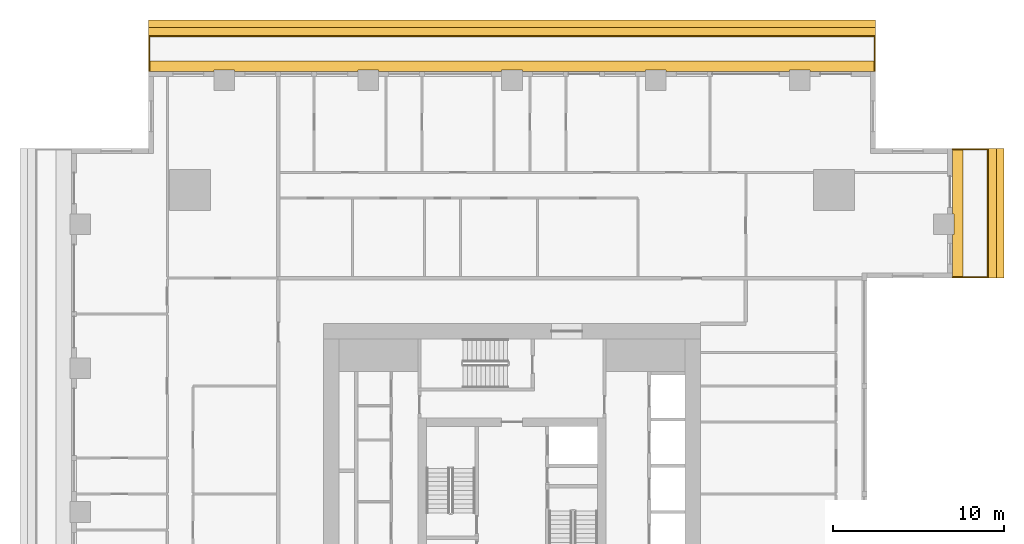
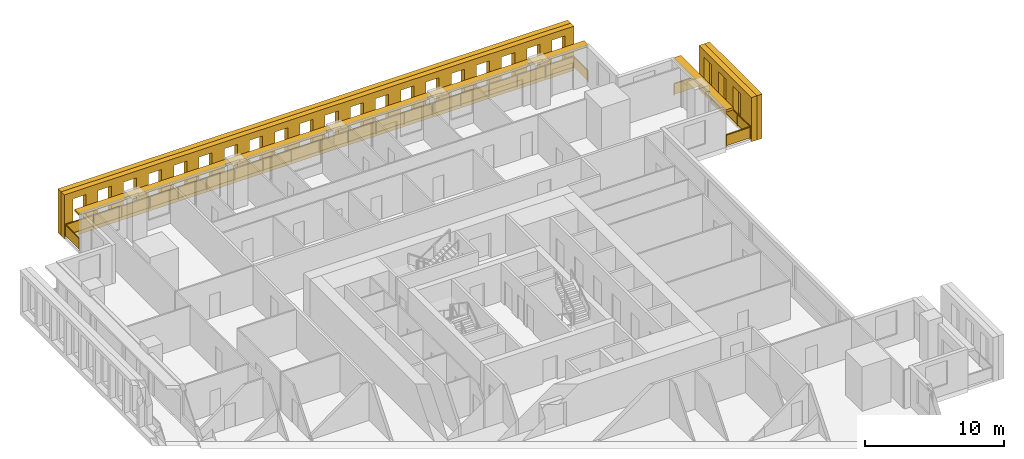
# One storey, part 15 of 15: 6 shading devices, 2 railings.
"""IFC4 building model written with IfcOpenShell, lengths in metres."""

from ifc_helpers import new_model, si_unit, direction, frame, origin, origin_2d, place, context, subcontext, project, spatial, polyline, rectangle, outline, extrude, material, layer, layer_set, type_object, element, save


model = new_model("IFC4")

# Units and contexts
model_context = context("Model", 3, precision=1e-05, world=origin(), true_north=direction((0.0, 1.0)))
body_context = subcontext(model_context, "Body", "Model", "MODEL_VIEW")
ifc_project = project(units=[si_unit("LENGTHUNIT", "METRE"), si_unit("AREAUNIT", "SQUARE_METRE"), si_unit("VOLUMEUNIT", "CUBIC_METRE"), si_unit("PLANEANGLEUNIT", "RADIAN"), si_unit("MASSUNIT", "GRAM", prefix="KILO")], contexts=[model_context])

# Site, building, storey
site_placement = place(None, origin())
site = spatial("IfcSite", under=ifc_project, at=site_placement, CompositionType="ELEMENT")
building_placement = place(site_placement, origin())
building = spatial("IfcBuilding", under=site, at=building_placement, Name="Khepri Terraces", CompositionType="ELEMENT")
storey_placement = place(building_placement, frame((0.0, 0.0, 231.300048828125)))
storey = spatial("IfcBuildingStorey", under=building, at=storey_placement, Name="L55", CompositionType="ELEMENT", Elevation=231.300048828125)

# Railings
ifc_material_1 = material(Name="Stainless steel grade 316", Category="steel")
railing_type = type_object("IfcRailingType", Name="GRD-BAL-1100", PredefinedType="GUARDRAIL", material=ifc_material_1)
railing_1_placement = place(storey_placement, frame((25.719970703125, 13.699951171875, 0.0)))
element("IfcRailing", 1, at=railing_1_placement, inside=storey, type_object=railing_type, Name="Balcony guard L55 E", PredefinedType="GUARDRAIL", context=body_context, shape_type="SweptSolid", body=[
    extrude(rectangle(XDim=0.050048828125, YDim=0.06005859375, at=origin_2d()), frame((0.0, 0.0, 1.070068359375), z_axis=(1.0, 0.0, 0.0), x_axis=(0.0, 1.0, 0.0)), (0.0, 0.0, 1.0), 2.050048828125),
    extrude(rectangle(XDim=2.0, YDim=0.011962890625, at=origin_2d()), frame((1.02490234375, 0.0, 0.10009765625), z_axis=(0.0, 0.0, 1.0), x_axis=(1.0, 0.0, 0.0)), (0.0, 0.0, 1.0), 0.93994140625),
    extrude(rectangle(XDim=0.050048828125, YDim=0.06005859375, at=origin_2d()), frame((2.050048828125, 0.0, 1.070068359375), z_axis=(0.0, 1.0, 0.0), x_axis=(-1.0, 0.0, 0.0)), (0.0, 0.0, 1.0), 7.469970703125),
    extrude(rectangle(XDim=1.8173828125, YDim=0.011962890625, at=origin_2d()), frame((2.050048828125, 0.933837890625, 0.10009765625), z_axis=(0.0, 0.0, 1.0), x_axis=(0.0, 1.0, 0.0)), (0.0, 0.0, 1.0), 0.93994140625),
    extrude(rectangle(XDim=1.8173828125, YDim=0.011962890625, at=origin_2d()), frame((2.050048828125, 2.80126953125, 0.10009765625), z_axis=(0.0, 0.0, 1.0), x_axis=(0.0, 1.0, 0.0)), (0.0, 0.0, 1.0), 0.93994140625),
    extrude(rectangle(XDim=1.8173828125, YDim=0.011962890625, at=origin_2d()), frame((2.050048828125, 4.668701171875, 0.10009765625), z_axis=(0.0, 0.0, 1.0), x_axis=(0.0, 1.0, 0.0)), (0.0, 0.0, 1.0), 0.93994140625),
    extrude(rectangle(XDim=1.8173828125, YDim=0.011962890625, at=origin_2d()), frame((2.050048828125, 6.5361328125, 0.10009765625), z_axis=(0.0, 0.0, 1.0), x_axis=(0.0, 1.0, 0.0)), (0.0, 0.0, 1.0), 0.93994140625),
    extrude(rectangle(XDim=0.050048828125, YDim=0.06005859375, at=origin_2d()), frame((2.050048828125, 7.469970703125, 1.070068359375), z_axis=(-1.0, 0.0, 0.0), x_axis=(0.0, -1.0, 0.0)), (0.0, 0.0, 1.0), 2.050048828125),
    extrude(rectangle(XDim=2.0, YDim=0.011962890625, at=origin_2d()), frame((1.02490234375, 7.469970703125, 0.10009765625), z_axis=(0.0, 0.0, 1.0), x_axis=(-1.0, 0.0, 0.0)), (0.0, 0.0, 1.0), 0.93994140625),
    extrude(rectangle(XDim=0.050048828125, YDim=0.050048828125, at=origin_2d()), origin(), (0.0, 0.0, 1.0), 1.0400390625),
    extrude(rectangle(XDim=0.050048828125, YDim=0.050048828125, at=origin_2d()), frame((2.050048828125, 0.0, 0.0)), (0.0, 0.0, 1.0), 1.0400390625),
    extrude(rectangle(XDim=0.050048828125, YDim=0.050048828125, at=origin_2d()), frame((2.050048828125, 1.867431640625, 0.0)), (0.0, 0.0, 1.0), 1.0400390625),
    extrude(rectangle(XDim=0.050048828125, YDim=0.050048828125, at=origin_2d()), frame((2.050048828125, 3.73486328125, 0.0)), (0.0, 0.0, 1.0), 1.0400390625),
    extrude(rectangle(XDim=0.050048828125, YDim=0.050048828125, at=origin_2d()), frame((2.050048828125, 5.6025390625, 0.0)), (0.0, 0.0, 1.0), 1.0400390625),
    extrude(rectangle(XDim=0.050048828125, YDim=0.050048828125, at=origin_2d()), frame((2.050048828125, 7.469970703125, 0.0)), (0.0, 0.0, 1.0), 1.0400390625),
    extrude(rectangle(XDim=0.050048828125, YDim=0.050048828125, at=origin_2d()), frame((0.0, 7.469970703125, 0.0)), (0.0, 0.0, 1.0), 1.0400390625),
])
railing_2_placement = place(storey_placement, frame((21.169921875, 25.719970703125, 0.0)))
element("IfcRailing", 2, at=railing_2_placement, inside=storey, type_object=railing_type, Name="Balcony guard L55 N", PredefinedType="GUARDRAIL", context=body_context, shape_type="SweptSolid", body=[
    extrude(rectangle(XDim=0.050048828125, YDim=0.06005859375, at=origin_2d()), frame((0.0, 0.0, 1.070068359375), z_axis=(0.0, 1.0, 0.0), x_axis=(-1.0, 0.0, 0.0)), (0.0, 0.0, 1.0), 2.050048828125),
    extrude(rectangle(XDim=2.0, YDim=0.011962890625, at=origin_2d()), frame((0.0, 1.02490234375, 0.10009765625), z_axis=(0.0, 0.0, 1.0), x_axis=(0.0, 1.0, 0.0)), (0.0, 0.0, 1.0), 0.93994140625),
    extrude(rectangle(XDim=0.050048828125, YDim=0.06005859375, at=origin_2d()), frame((0.0, 2.050048828125, 1.070068359375), z_axis=(-1.0, 0.0, 0.0), x_axis=(0.0, -1.0, 0.0)), (0.0, 0.0, 1.0), 42.33984375),
    extrude(rectangle(XDim=2.30224609375, YDim=0.011962890625, at=origin_2d()), frame((-1.176025390625, 2.050048828125, 0.10009765625), z_axis=(0.0, 0.0, 1.0), x_axis=(-1.0, 0.0, 0.0)), (0.0, 0.0, 1.0), 0.93994140625),
    extrude(rectangle(XDim=2.30224609375, YDim=0.011962890625, at=origin_2d()), frame((-3.5283203125, 2.050048828125, 0.10009765625), z_axis=(0.0, 0.0, 1.0), x_axis=(-1.0, 0.0, 0.0)), (0.0, 0.0, 1.0), 0.93994140625),
    extrude(rectangle(XDim=2.30224609375, YDim=0.011962890625, at=origin_2d()), frame((-5.880615234375, 2.050048828125, 0.10009765625), z_axis=(0.0, 0.0, 1.0), x_axis=(-1.0, 0.0, 0.0)), (0.0, 0.0, 1.0), 0.93994140625),
    extrude(rectangle(XDim=2.30224609375, YDim=0.011962890625, at=origin_2d()), frame((-8.232666015625, 2.050048828125, 0.10009765625), z_axis=(0.0, 0.0, 1.0), x_axis=(-1.0, 0.0, 0.0)), (0.0, 0.0, 1.0), 0.93994140625),
    extrude(rectangle(XDim=2.30224609375, YDim=0.011962890625, at=origin_2d()), frame((-10.5849609375, 2.050048828125, 0.10009765625), z_axis=(0.0, 0.0, 1.0), x_axis=(-1.0, 0.0, 0.0)), (0.0, 0.0, 1.0), 0.93994140625),
    extrude(rectangle(XDim=2.30224609375, YDim=0.011962890625, at=origin_2d()), frame((-12.937255859375, 2.050048828125, 0.10009765625), z_axis=(0.0, 0.0, 1.0), x_axis=(-1.0, 0.0, 0.0)), (0.0, 0.0, 1.0), 0.93994140625),
    extrude(rectangle(XDim=2.30224609375, YDim=0.011962890625, at=origin_2d()), frame((-15.289306640625, 2.050048828125, 0.10009765625), z_axis=(0.0, 0.0, 1.0), x_axis=(-1.0, 0.0, 0.0)), (0.0, 0.0, 1.0), 0.93994140625),
    extrude(rectangle(XDim=2.30224609375, YDim=0.011962890625, at=origin_2d()), frame((-17.6416015625, 2.050048828125, 0.10009765625), z_axis=(0.0, 0.0, 1.0), x_axis=(-1.0, 0.0, 0.0)), (0.0, 0.0, 1.0), 0.93994140625),
    extrude(rectangle(XDim=2.30224609375, YDim=0.011962890625, at=origin_2d()), frame((-19.993896484375, 2.050048828125, 0.10009765625), z_axis=(0.0, 0.0, 1.0), x_axis=(-1.0, 0.0, 0.0)), (0.0, 0.0, 1.0), 0.93994140625),
    extrude(rectangle(XDim=2.30224609375, YDim=0.011962890625, at=origin_2d()), frame((-22.345947265625, 2.050048828125, 0.10009765625), z_axis=(0.0, 0.0, 1.0), x_axis=(-1.0, 0.0, 0.0)), (0.0, 0.0, 1.0), 0.93994140625),
    extrude(rectangle(XDim=2.30224609375, YDim=0.011962890625, at=origin_2d()), frame((-24.6982421875, 2.050048828125, 0.10009765625), z_axis=(0.0, 0.0, 1.0), x_axis=(-1.0, 0.0, 0.0)), (0.0, 0.0, 1.0), 0.93994140625),
    extrude(rectangle(XDim=2.30224609375, YDim=0.011962890625, at=origin_2d()), frame((-27.050537109375, 2.050048828125, 0.10009765625), z_axis=(0.0, 0.0, 1.0), x_axis=(-1.0, 0.0, 0.0)), (0.0, 0.0, 1.0), 0.93994140625),
    extrude(rectangle(XDim=2.30224609375, YDim=0.011962890625, at=origin_2d()), frame((-29.402587890625, 2.050048828125, 0.10009765625), z_axis=(0.0, 0.0, 1.0), x_axis=(-1.0, 0.0, 0.0)), (0.0, 0.0, 1.0), 0.93994140625),
    extrude(rectangle(XDim=2.30224609375, YDim=0.011962890625, at=origin_2d()), frame((-31.7548828125, 2.050048828125, 0.10009765625), z_axis=(0.0, 0.0, 1.0), x_axis=(-1.0, 0.0, 0.0)), (0.0, 0.0, 1.0), 0.93994140625),
    extrude(rectangle(XDim=2.30224609375, YDim=0.011962890625, at=origin_2d()), frame((-34.107177734375, 2.050048828125, 0.10009765625), z_axis=(0.0, 0.0, 1.0), x_axis=(-1.0, 0.0, 0.0)), (0.0, 0.0, 1.0), 0.93994140625),
    extrude(rectangle(XDim=2.30224609375, YDim=0.011962890625, at=origin_2d()), frame((-36.459228515625, 2.050048828125, 0.10009765625), z_axis=(0.0, 0.0, 1.0), x_axis=(-1.0, 0.0, 0.0)), (0.0, 0.0, 1.0), 0.93994140625),
    extrude(rectangle(XDim=2.30224609375, YDim=0.011962890625, at=origin_2d()), frame((-38.8115234375, 2.050048828125, 0.10009765625), z_axis=(0.0, 0.0, 1.0), x_axis=(-1.0, 0.0, 0.0)), (0.0, 0.0, 1.0), 0.93994140625),
    extrude(rectangle(XDim=2.30224609375, YDim=0.011962890625, at=origin_2d()), frame((-41.163818359375, 2.050048828125, 0.10009765625), z_axis=(0.0, 0.0, 1.0), x_axis=(-1.0, 0.0, 0.0)), (0.0, 0.0, 1.0), 0.93994140625),
    extrude(rectangle(XDim=0.050048828125, YDim=0.06005859375, at=origin_2d()), frame((-42.33984375, 2.050048828125, 1.070068359375), z_axis=(0.0, -1.0, 0.0), x_axis=(1.0, 0.0, 0.0)), (0.0, 0.0, 1.0), 2.050048828125),
    extrude(rectangle(XDim=2.0, YDim=0.011962890625, at=origin_2d()), frame((-42.33984375, 1.02490234375, 0.10009765625), z_axis=(0.0, 0.0, 1.0), x_axis=(0.0, -1.0, 0.0)), (0.0, 0.0, 1.0), 0.93994140625),
    extrude(rectangle(XDim=0.050048828125, YDim=0.050048828125, at=origin_2d()), origin(), (0.0, 0.0, 1.0), 1.0400390625),
    extrude(rectangle(XDim=0.050048828125, YDim=0.050048828125, at=origin_2d()), frame((0.0, 2.050048828125, 0.0)), (0.0, 0.0, 1.0), 1.0400390625),
    extrude(rectangle(XDim=0.050048828125, YDim=0.050048828125, at=origin_2d()), frame((-2.352294921875, 2.050048828125, 0.0)), (0.0, 0.0, 1.0), 1.0400390625),
    extrude(rectangle(XDim=0.050048828125, YDim=0.050048828125, at=origin_2d()), frame((-4.704345703125, 2.050048828125, 0.0)), (0.0, 0.0, 1.0), 1.0400390625),
    extrude(rectangle(XDim=0.050048828125, YDim=0.050048828125, at=origin_2d()), frame((-7.056640625, 2.050048828125, 0.0)), (0.0, 0.0, 1.0), 1.0400390625),
    extrude(rectangle(XDim=0.050048828125, YDim=0.050048828125, at=origin_2d()), frame((-9.408935546875, 2.050048828125, 0.0)), (0.0, 0.0, 1.0), 1.0400390625),
    extrude(rectangle(XDim=0.050048828125, YDim=0.050048828125, at=origin_2d()), frame((-11.760986328125, 2.050048828125, 0.0)), (0.0, 0.0, 1.0), 1.0400390625),
    extrude(rectangle(XDim=0.050048828125, YDim=0.050048828125, at=origin_2d()), frame((-14.11328125, 2.050048828125, 0.0)), (0.0, 0.0, 1.0), 1.0400390625),
    extrude(rectangle(XDim=0.050048828125, YDim=0.050048828125, at=origin_2d()), frame((-16.465576171875, 2.050048828125, 0.0)), (0.0, 0.0, 1.0), 1.0400390625),
    extrude(rectangle(XDim=0.050048828125, YDim=0.050048828125, at=origin_2d()), frame((-18.817626953125, 2.050048828125, 0.0)), (0.0, 0.0, 1.0), 1.0400390625),
    extrude(rectangle(XDim=0.050048828125, YDim=0.050048828125, at=origin_2d()), frame((-21.169921875, 2.050048828125, 0.0)), (0.0, 0.0, 1.0), 1.0400390625),
    extrude(rectangle(XDim=0.050048828125, YDim=0.050048828125, at=origin_2d()), frame((-23.522216796875, 2.050048828125, 0.0)), (0.0, 0.0, 1.0), 1.0400390625),
    extrude(rectangle(XDim=0.050048828125, YDim=0.050048828125, at=origin_2d()), frame((-25.874267578125, 2.050048828125, 0.0)), (0.0, 0.0, 1.0), 1.0400390625),
    extrude(rectangle(XDim=0.050048828125, YDim=0.050048828125, at=origin_2d()), frame((-28.2265625, 2.050048828125, 0.0)), (0.0, 0.0, 1.0), 1.0400390625),
    extrude(rectangle(XDim=0.050048828125, YDim=0.050048828125, at=origin_2d()), frame((-30.578857421875, 2.050048828125, 0.0)), (0.0, 0.0, 1.0), 1.0400390625),
    extrude(rectangle(XDim=0.050048828125, YDim=0.050048828125, at=origin_2d()), frame((-32.930908203125, 2.050048828125, 0.0)), (0.0, 0.0, 1.0), 1.0400390625),
    extrude(rectangle(XDim=0.050048828125, YDim=0.050048828125, at=origin_2d()), frame((-35.283203125, 2.050048828125, 0.0)), (0.0, 0.0, 1.0), 1.0400390625),
    extrude(rectangle(XDim=0.050048828125, YDim=0.050048828125, at=origin_2d()), frame((-37.635498046875, 2.050048828125, 0.0)), (0.0, 0.0, 1.0), 1.0400390625),
    extrude(rectangle(XDim=0.050048828125, YDim=0.050048828125, at=origin_2d()), frame((-39.987548828125, 2.050048828125, 0.0)), (0.0, 0.0, 1.0), 1.0400390625),
    extrude(rectangle(XDim=0.050048828125, YDim=0.050048828125, at=origin_2d()), frame((-42.33984375, 2.050048828125, 0.0)), (0.0, 0.0, 1.0), 1.0400390625),
    extrude(rectangle(XDim=0.050048828125, YDim=0.050048828125, at=origin_2d()), frame((-42.33984375, 0.0, 0.0)), (0.0, 0.0, 1.0), 1.0400390625),
])

# Shading devices
ifc_material_2 = material(Name="Precast concrete C50/60 warm stone", Category="masonry")
shading_device_type_1 = type_object("IfcShadingDeviceType", Name="SCR-CELL-INNER-450", PredefinedType="USERDEFINED", material=ifc_material_2)
shading_device_1_placement = place(storey_placement, frame((27.820068359375, 13.64990234375, -0.25), z_axis=(1.0, 0.0, 0.0), x_axis=(0.0, 1.0, 0.0)))
element("IfcShadingDevice", 3, at=shading_device_1_placement, inside=storey, type_object=shading_device_type_1, Name="Cell screen L55 E in", ObjectType="SCREEN", PredefinedType="USERDEFINED", context=body_context, shape_type="SweptSolid", body=[
    extrude(outline(polyline([(0.0, 0.0), (7.570068359375, 0.0), (7.570068359375, 3.89990234375), (0.0, 3.89990234375), (0.0, 0.0)]), holes=[polyline([(1.556640625, 0.699951171875), (2.643310546875, 0.699951171875), (2.643310546875, 3.300048828125), (1.556640625, 3.300048828125), (1.556640625, 0.699951171875)]), polyline([(3.656494140625, 0.699951171875), (4.743408203125, 0.699951171875), (4.743408203125, 3.300048828125), (3.656494140625, 3.300048828125), (3.656494140625, 0.699951171875)]), polyline([(5.756591796875, 0.699951171875), (6.843505859375, 0.699951171875), (6.843505859375, 3.300048828125), (5.756591796875, 3.300048828125), (5.756591796875, 0.699951171875)])]), origin(), (0.0, 0.0, 1.0), 0.449951171875),
])
shading_device_2_placement = place(storey_placement, frame((21.219970703125, 27.820068359375, -0.25), z_axis=(0.0, 1.0, 0.0), x_axis=(-1.0, 0.0, 0.0)))
element("IfcShadingDevice", 4, at=shading_device_2_placement, inside=storey, type_object=shading_device_type_1, Name="Cell screen L55 N in", ObjectType="SCREEN", PredefinedType="USERDEFINED", context=body_context, shape_type="SweptSolid", body=[
    extrude(outline(polyline([(0.0, 0.0), (42.43994140625, 0.0), (42.43994140625, 3.89990234375), (0.0, 3.89990234375), (0.0, 0.0)]), holes=[polyline([(0.7265625, 0.699951171875), (1.8134765625, 0.699951171875), (1.8134765625, 3.300048828125), (0.7265625, 3.300048828125), (0.7265625, 0.699951171875)]), polyline([(2.82666015625, 0.699951171875), (3.913330078125, 0.699951171875), (3.913330078125, 3.300048828125), (2.82666015625, 3.300048828125), (2.82666015625, 0.699951171875)]), polyline([(4.926513671875, 0.699951171875), (6.013427734375, 0.699951171875), (6.013427734375, 3.300048828125), (4.926513671875, 3.300048828125), (4.926513671875, 0.699951171875)]), polyline([(7.026611328125, 0.699951171875), (8.11328125, 0.699951171875), (8.11328125, 3.300048828125), (7.026611328125, 3.300048828125), (7.026611328125, 0.699951171875)]), polyline([(9.126708984375, 0.699951171875), (10.21337890625, 0.699951171875), (10.21337890625, 3.300048828125), (9.126708984375, 3.300048828125), (9.126708984375, 0.699951171875)]), polyline([(11.2265625, 0.699951171875), (12.3134765625, 0.699951171875), (12.3134765625, 3.300048828125), (11.2265625, 3.300048828125), (11.2265625, 0.699951171875)]), polyline([(13.32666015625, 0.699951171875), (14.413330078125, 0.699951171875), (14.413330078125, 3.300048828125), (13.32666015625, 3.300048828125), (13.32666015625, 0.699951171875)]), polyline([(15.426513671875, 0.699951171875), (16.513427734375, 0.699951171875), (16.513427734375, 3.300048828125), (15.426513671875, 3.300048828125), (15.426513671875, 0.699951171875)]), polyline([(17.526611328125, 0.699951171875), (18.61328125, 0.699951171875), (18.61328125, 3.300048828125), (17.526611328125, 3.300048828125), (17.526611328125, 0.699951171875)]), polyline([(19.626708984375, 0.699951171875), (20.71337890625, 0.699951171875), (20.71337890625, 3.300048828125), (19.626708984375, 3.300048828125), (19.626708984375, 0.699951171875)]), polyline([(21.7265625, 0.699951171875), (22.8134765625, 0.699951171875), (22.8134765625, 3.300048828125), (21.7265625, 3.300048828125), (21.7265625, 0.699951171875)]), polyline([(23.82666015625, 0.699951171875), (24.913330078125, 0.699951171875), (24.913330078125, 3.300048828125), (23.82666015625, 3.300048828125), (23.82666015625, 0.699951171875)]), polyline([(25.926513671875, 0.699951171875), (27.013427734375, 0.699951171875), (27.013427734375, 3.300048828125), (25.926513671875, 3.300048828125), (25.926513671875, 0.699951171875)]), polyline([(28.026611328125, 0.699951171875), (29.11328125, 0.699951171875), (29.11328125, 3.300048828125), (28.026611328125, 3.300048828125), (28.026611328125, 0.699951171875)]), polyline([(30.126708984375, 0.699951171875), (31.21337890625, 0.699951171875), (31.21337890625, 3.300048828125), (30.126708984375, 3.300048828125), (30.126708984375, 0.699951171875)]), polyline([(32.2265625, 0.699951171875), (33.3134765625, 0.699951171875), (33.3134765625, 3.300048828125), (32.2265625, 3.300048828125), (32.2265625, 0.699951171875)]), polyline([(34.32666015625, 0.699951171875), (35.413330078125, 0.699951171875), (35.413330078125, 3.300048828125), (34.32666015625, 3.300048828125), (34.32666015625, 0.699951171875)]), polyline([(36.426513671875, 0.699951171875), (37.513427734375, 0.699951171875), (37.513427734375, 3.300048828125), (36.426513671875, 3.300048828125), (36.426513671875, 0.699951171875)]), polyline([(38.526611328125, 0.699951171875), (39.61328125, 0.699951171875), (39.61328125, 3.300048828125), (38.526611328125, 3.300048828125), (38.526611328125, 0.699951171875)]), polyline([(40.626708984375, 0.699951171875), (41.71337890625, 0.699951171875), (41.71337890625, 3.300048828125), (40.626708984375, 3.300048828125), (40.626708984375, 0.699951171875)])]), origin(), (0.0, 0.0, 1.0), 0.449951171875),
])
shading_device_type_2 = type_object("IfcShadingDeviceType", Name="SCR-CELL-OUTER-450", PredefinedType="USERDEFINED", material=ifc_material_2)
shading_device_3_placement = place(storey_placement, frame((28.27001953125, 13.64990234375, -0.25), z_axis=(1.0, 0.0, 0.0), x_axis=(0.0, 1.0, 0.0)))
element("IfcShadingDevice", 5, at=shading_device_3_placement, inside=storey, type_object=shading_device_type_2, Name="Cell screen L55 E out", ObjectType="SCREEN", PredefinedType="USERDEFINED", context=body_context, shape_type="SweptSolid", body=[
    extrude(outline(polyline([(0.0, 0.0), (7.570068359375, 0.0), (7.570068359375, 3.89990234375), (0.0, 3.89990234375), (0.0, 0.0)]), holes=[polyline([(1.20654296875, 0.449951171875), (2.993408203125, 0.449951171875), (2.993408203125, 3.550048828125), (1.20654296875, 3.550048828125), (1.20654296875, 0.449951171875)]), polyline([(3.306640625, 0.449951171875), (5.093505859375, 0.449951171875), (5.093505859375, 3.550048828125), (3.306640625, 3.550048828125), (3.306640625, 0.449951171875)]), polyline([(5.406494140625, 0.449951171875), (7.193359375, 0.449951171875), (7.193359375, 3.550048828125), (5.406494140625, 3.550048828125), (5.406494140625, 0.449951171875)])]), origin(), (0.0, 0.0, 1.0), 0.449951171875),
])
shading_device_4_placement = place(storey_placement, frame((21.219970703125, 28.27001953125, -0.25), z_axis=(0.0, 1.0, 0.0), x_axis=(-1.0, 0.0, 0.0)))
element("IfcShadingDevice", 6, at=shading_device_4_placement, inside=storey, type_object=shading_device_type_2, Name="Cell screen L55 N out", ObjectType="SCREEN", PredefinedType="USERDEFINED", context=body_context, shape_type="SweptSolid", body=[
    extrude(outline(polyline([(0.0, 0.0), (42.43994140625, 0.0), (42.43994140625, 3.89990234375), (0.0, 3.89990234375), (0.0, 0.0)]), holes=[polyline([(0.376708984375, 0.449951171875), (2.163330078125, 0.449951171875), (2.163330078125, 3.550048828125), (0.376708984375, 3.550048828125), (0.376708984375, 0.449951171875)]), polyline([(2.4765625, 0.449951171875), (4.263427734375, 0.449951171875), (4.263427734375, 3.550048828125), (2.4765625, 3.550048828125), (2.4765625, 0.449951171875)]), polyline([(4.57666015625, 0.449951171875), (6.36328125, 0.449951171875), (6.36328125, 3.550048828125), (4.57666015625, 3.550048828125), (4.57666015625, 0.449951171875)]), polyline([(6.676513671875, 0.449951171875), (8.46337890625, 0.449951171875), (8.46337890625, 3.550048828125), (6.676513671875, 3.550048828125), (6.676513671875, 0.449951171875)]), polyline([(8.776611328125, 0.449951171875), (10.5634765625, 0.449951171875), (10.5634765625, 3.550048828125), (8.776611328125, 3.550048828125), (8.776611328125, 0.449951171875)]), polyline([(10.876708984375, 0.449951171875), (12.663330078125, 0.449951171875), (12.663330078125, 3.550048828125), (10.876708984375, 3.550048828125), (10.876708984375, 0.449951171875)]), polyline([(12.9765625, 0.449951171875), (14.763427734375, 0.449951171875), (14.763427734375, 3.550048828125), (12.9765625, 3.550048828125), (12.9765625, 0.449951171875)]), polyline([(15.07666015625, 0.449951171875), (16.86328125, 0.449951171875), (16.86328125, 3.550048828125), (15.07666015625, 3.550048828125), (15.07666015625, 0.449951171875)]), polyline([(17.176513671875, 0.449951171875), (18.96337890625, 0.449951171875), (18.96337890625, 3.550048828125), (17.176513671875, 3.550048828125), (17.176513671875, 0.449951171875)]), polyline([(19.276611328125, 0.449951171875), (21.0634765625, 0.449951171875), (21.0634765625, 3.550048828125), (19.276611328125, 3.550048828125), (19.276611328125, 0.449951171875)]), polyline([(21.376708984375, 0.449951171875), (23.163330078125, 0.449951171875), (23.163330078125, 3.550048828125), (21.376708984375, 3.550048828125), (21.376708984375, 0.449951171875)]), polyline([(23.4765625, 0.449951171875), (25.263427734375, 0.449951171875), (25.263427734375, 3.550048828125), (23.4765625, 3.550048828125), (23.4765625, 0.449951171875)]), polyline([(25.57666015625, 0.449951171875), (27.36328125, 0.449951171875), (27.36328125, 3.550048828125), (25.57666015625, 3.550048828125), (25.57666015625, 0.449951171875)]), polyline([(27.676513671875, 0.449951171875), (29.46337890625, 0.449951171875), (29.46337890625, 3.550048828125), (27.676513671875, 3.550048828125), (27.676513671875, 0.449951171875)]), polyline([(29.776611328125, 0.449951171875), (31.5634765625, 0.449951171875), (31.5634765625, 3.550048828125), (29.776611328125, 3.550048828125), (29.776611328125, 0.449951171875)]), polyline([(31.876708984375, 0.449951171875), (33.663330078125, 0.449951171875), (33.663330078125, 3.550048828125), (31.876708984375, 3.550048828125), (31.876708984375, 0.449951171875)]), polyline([(33.9765625, 0.449951171875), (35.763427734375, 0.449951171875), (35.763427734375, 3.550048828125), (33.9765625, 3.550048828125), (33.9765625, 0.449951171875)]), polyline([(36.07666015625, 0.449951171875), (37.86328125, 0.449951171875), (37.86328125, 3.550048828125), (36.07666015625, 3.550048828125), (36.07666015625, 0.449951171875)]), polyline([(38.176513671875, 0.449951171875), (39.96337890625, 0.449951171875), (39.96337890625, 3.550048828125), (38.176513671875, 3.550048828125), (38.176513671875, 0.449951171875)]), polyline([(40.276611328125, 0.449951171875), (42.0634765625, 0.449951171875), (42.0634765625, 3.550048828125), (40.276611328125, 3.550048828125), (40.276611328125, 0.449951171875)])]), origin(), (0.0, 0.0, 1.0), 0.449951171875),
])
ifc_layer = layer(ifc_material_2, 0.199951171875, Name="Precast concrete C50/60 warm stone", Category="masonry")
ifc_layer_set = layer_set([ifc_layer], Name="Precast concrete C50/60 warm stone")
shading_device_type_3 = type_object("IfcShadingDeviceType", Name="SSH-BAND-STONE-200-N", PredefinedType="USERDEFINED", material=ifc_layer_set)
shading_device_5_placement = place(storey_placement, frame((0.0, 0.0, 3.099853515625)))
element("IfcShadingDevice", 7, at=shading_device_5_placement, inside=storey, type_object=shading_device_type_3, Name="Sunshade band L55 E", ObjectType="SUNSHADE", PredefinedType="USERDEFINED", context=body_context, shape_type="SweptSolid", body=[
    extrude(outline(polyline([(25.719970703125, 16.199951171875), (25.719970703125, 13.64990234375), (26.320068359375, 13.64990234375), (26.320068359375, 21.219970703125), (25.719970703125, 21.219970703125), (25.719970703125, 17.39990234375), (25.800048828125, 17.39990234375), (25.800048828125, 16.199951171875), (25.719970703125, 16.199951171875)])), origin(), (0.0, 0.0, 1.0), 0.2001953125),
])
shading_device_6_placement = place(storey_placement, frame((0.0, 0.0, 3.099853515625)))
element("IfcShadingDevice", 8, at=shading_device_6_placement, inside=storey, type_object=shading_device_type_3, Name="Sunshade band L55 N", ObjectType="SUNSHADE", PredefinedType="USERDEFINED", context=body_context, shape_type="SweptSolid", body=[
    extrude(outline(polyline([(17.39990234375, 25.719970703125), (21.219970703125, 25.719970703125), (21.219970703125, 26.320068359375), (-21.219970703125, 26.320068359375), (-21.219970703125, 25.719970703125), (-17.39990234375, 25.719970703125), (-17.39990234375, 25.800048828125), (-16.199951171875, 25.800048828125), (-16.199951171875, 25.719970703125), (-9.0, 25.719970703125), (-9.0, 25.800048828125), (-7.800048828125, 25.800048828125), (-7.800048828125, 25.719970703125), (-0.60009765625, 25.719970703125), (-0.60009765625, 25.800048828125), (0.60009765625, 25.800048828125), (0.60009765625, 25.719970703125), (7.800048828125, 25.719970703125), (7.800048828125, 25.800048828125), (9.0, 25.800048828125), (9.0, 25.719970703125), (16.199951171875, 25.719970703125), (16.199951171875, 25.800048828125), (17.39990234375, 25.800048828125), (17.39990234375, 25.719970703125)])), origin(), (0.0, 0.0, 1.0), 0.2001953125),
])

save(model, "model.ifc")
